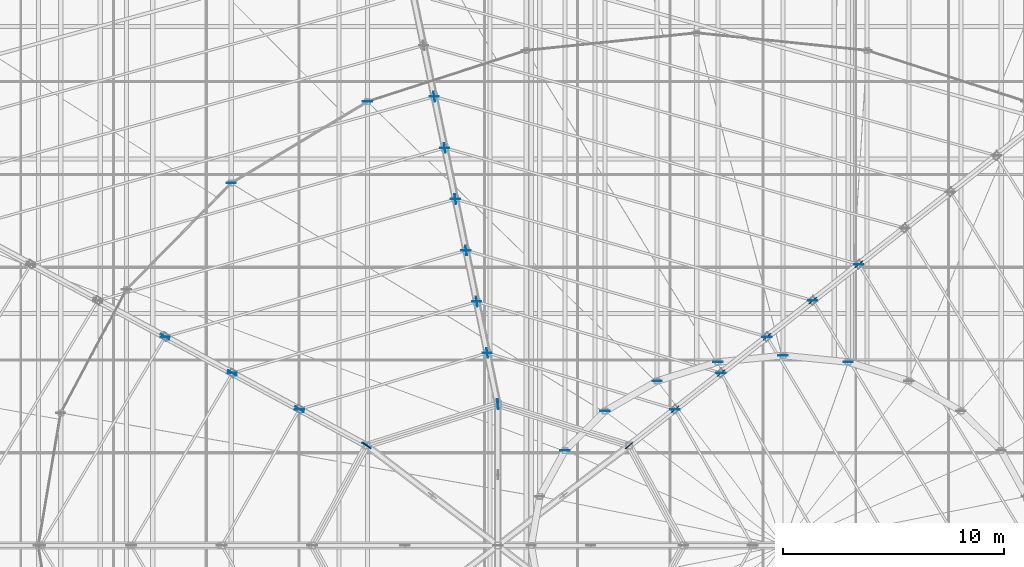
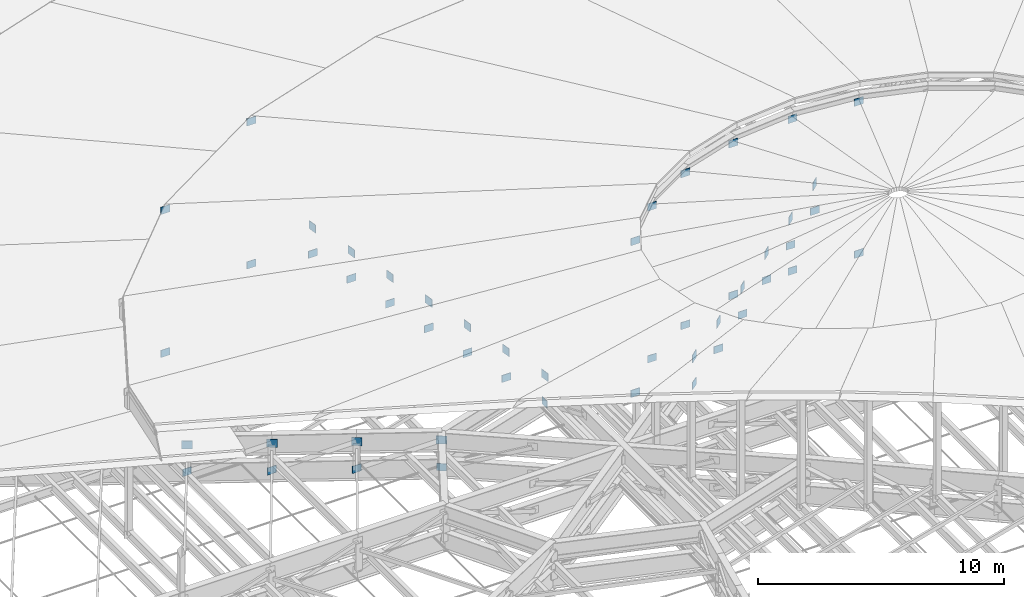
# One storey, part 175 of 184: 50 plates.
"""IFC4 building model written with IfcOpenShell, lengths in metres."""

from ifc_helpers import new_model, si_unit, direction, frame, origin, origin_2d, place, context, subcontext, project, spatial, rectangle, extrude, material, layer, layer_set, type_object, element, save


model = new_model("IFC4")

# Units and contexts
model_context = context("Model", 3, precision=1e-05, world=origin(), true_north=direction((0.0, 1.0)))
body_context = subcontext(model_context, "Body", "Model", "MODEL_VIEW")
ifc_project = project(units=[si_unit("LENGTHUNIT", "METRE"), si_unit("AREAUNIT", "SQUARE_METRE"), si_unit("VOLUMEUNIT", "CUBIC_METRE"), si_unit("PLANEANGLEUNIT", "RADIAN"), si_unit("MASSUNIT", "GRAM", prefix="KILO")], contexts=[model_context])

# Site, building, storey
site_placement = place(None, origin())
site = spatial("IfcSite", under=ifc_project, at=site_placement, CompositionType="ELEMENT")
building_placement = place(site_placement, origin())
building = spatial("IfcBuilding", under=site, at=building_placement, Name="Kalgoora Escarpment Arena", CompositionType="ELEMENT")
storey_placement = place(building_placement, frame((0.0, 0.0, 27.60009765625)))
storey = spatial("IfcBuildingStorey", under=building, at=storey_placement, Name="Roof Level", CompositionType="ELEMENT", Elevation=27.60009765625)

# Plates
ifc_material = material(Name="Structural steel Grade 350 (350 MPa)", Category="steel")
ifc_layer = layer(ifc_material, 0.02490234375)
ifc_layer_set = layer_set([ifc_layer], Name="PLT-GUSSET-25")
plate_type = type_object("IfcPlateType", Name="PLT-GUSSET-25", PredefinedType="USERDEFINED", material=ifc_layer_set)
for number, where, z_axis, x_axis, name in (
    (1, (113.538330078125, 76.727783203125, -0.5), (0.0, 0.0, 1.0), (-0.756081970773, -0.6544769312, 0.0), "Radial ROOF TRUSS node gusset plate S2-6"),
    (2, (111.45849609375, 75.08740234375, -0.489990234375), (0.0, 0.0, 1.0), (-0.756081970773, -0.6544769312, 0.0), "Radial ROOF TRUSS node gusset plate S2-7"),
    (3, (109.37890625, 73.447021484375, -0.47998046875), (0.0, 0.0, 1.0), (-0.756081970773, -0.6544769312, 0.0), "Radial ROOF TRUSS node gusset plate S2-8"),
    (4, (107.29931640625, 71.806396484375, -0.469970703125), (0.0, 0.0, 1.0), (-0.756081970773, -0.6544769312, 0.0), "Radial ROOF TRUSS node gusset plate S2-9"),
    (5, (105.219482421875, 70.166015625, -0.4599609375), (0.0, 0.0, 1.0), (-0.756081970773, -0.6544769312, 0.0), "Radial ROOF TRUSS node gusset plate S2-10"),
    (6, (103.1396484375, 68.525390625, -0.449951171875), (0.0, 0.0, 1.0), (-0.756081970773, -0.6544769312, 0.0), "Radial ROOF TRUSS node gusset plate S2-11"),
    (7, (94.320068359375, 84.320068359375, -0.510009765625), (0.0, 0.0, 1.0), (0.141419587774, -0.989949746297, 0.0), "Radial ROOF TRUSS node gusset plate S3-5"),
    (8, (94.800048828125, 82.0, -0.5), (0.0, 0.0, 1.0), (0.141419587774, -0.989949746297, 0.0), "Radial ROOF TRUSS node gusset plate S3-6"),
    (9, (95.280029296875, 79.679931640625, -0.489990234375), (0.0, 0.0, 1.0), (0.141419587774, -0.989949746297, 0.0), "Radial ROOF TRUSS node gusset plate S3-7"),
    (10, (95.760009765625, 77.360107421875, -0.47998046875), (0.0, 0.0, 1.0), (0.141419587774, -0.989949746297, 0.0), "Radial ROOF TRUSS node gusset plate S3-8"),
    (11, (96.239990234375, 75.0400390625, -0.469970703125), (0.0, 0.0, 1.0), (0.141419587774, -0.989949746297, 0.0), "Radial ROOF TRUSS node gusset plate S3-9"),
    (12, (96.719970703125, 72.719970703125, -0.4599609375), (0.0, 0.0, 1.0), (0.141419587774, -0.989949746297, 0.0), "Radial ROOF TRUSS node gusset plate S3-10"),
    (13, (97.199951171875, 70.39990234375, -0.449951171875), (0.0, 0.0, 1.0), (0.141419587774, -0.989949746297, 0.0), "Radial ROOF TRUSS node gusset plate S3-11"),
    (14, (82.14111328125, 73.447021484375, -0.47998046875), (0.0, 0.0, 1.0), (0.84179353575, -0.539799632428, 0.0), "Radial ROOF TRUSS node gusset plate S4-8"),
    (15, (85.180908203125, 71.806396484375, -0.469970703125), (0.0, 0.0, 1.0), (0.84179353575, -0.539799632428, 0.0), "Radial ROOF TRUSS node gusset plate S4-9"),
    (16, (88.220703125, 70.166015625, -0.4599609375), (0.0, 0.0, 1.0), (0.84179353575, -0.539799632428, 0.0), "Radial ROOF TRUSS node gusset plate S4-10"),
    (17, (91.26025390625, 68.525390625, -0.449951171875), (0.0, 0.0, 1.0), (0.84179353575, -0.539799632428, 0.0), "Radial ROOF TRUSS node gusset plate S4-11"),
):
    element("IfcPlate", number, at=place(storey_placement, frame(where, z_axis=z_axis, x_axis=x_axis)), inside=storey, type_object=plate_type, Name=name, ObjectType="FLANGE PLATE", PredefinedType="USERDEFINED", context=body_context, shape_type="SweptSolid", body=[
        extrude(rectangle(XDim=0.43994140625, YDim=0.02490234375, at=origin_2d()), origin(), (0.0, 0.0, 1.0), 0.39990234375),
    ])
for number, where, z_axis, x_axis, name in (
    (18, (103.1396484375, 68.525390625, -1.7802734375), (0.0, 0.0, 1.0), (-0.795473480855, -0.605988400266, 0.0), "Brace and post end gusset plate 048"),
    (19, (97.199951171875, 70.39990234375, -1.7802734375), (0.0, 0.0, 1.0), (0.0, -1.0, 0.0), "Brace and post end gusset plate 053"),
    (20, (91.26025390625, 68.525390625, -1.7802734375), (0.0, 0.0, 1.0), (0.795473480855, -0.605988400266, 0.0), "Brace and post end gusset plate 058"),
    (21, (113.538330078125, 76.727783203125, -1.80517578125), (0.0, 0.0, 1.0), (1.0, 0.0, 0.0), "Brace and post end gusset plate 084"),
    (22, (111.45849609375, 75.08740234375, -1.80029296875), (0.0, 0.0, 1.0), (1.0, 0.0, 0.0), "Brace and post end gusset plate 085"),
    (23, (109.37890625, 73.447021484375, -1.794921875), (0.0, 0.0, 1.0), (1.0, 0.0, 0.0), "Brace and post end gusset plate 086"),
    (24, (107.29931640625, 71.806396484375, -1.7900390625), (0.0, 0.0, 1.0), (1.0, 0.0, 0.0), "Brace and post end gusset plate 087"),
    (25, (105.219482421875, 70.166015625, -1.78515625), (0.0, 0.0, 1.0), (1.0, 0.0, 0.0), "Brace and post end gusset plate 088"),
    (26, (94.320068359375, 84.320068359375, -1.81005859375), (0.0, 0.0, 1.0), (1.0, 0.0, 0.0), "Brace and post end gusset plate 094"),
    (27, (94.800048828125, 82.0, -1.80517578125), (0.0, 0.0, 1.0), (1.0, 0.0, 0.0), "Brace and post end gusset plate 095"),
    (28, (95.280029296875, 79.679931640625, -1.80029296875), (0.0, 0.0, 1.0), (1.0, 0.0, 0.0), "Brace and post end gusset plate 096"),
    (29, (95.760009765625, 77.360107421875, -1.794921875), (0.0, 0.0, 1.0), (1.0, 0.0, 0.0), "Brace and post end gusset plate 097"),
    (30, (96.239990234375, 75.0400390625, -1.7900390625), (0.0, 0.0, 1.0), (1.0, 0.0, 0.0), "Brace and post end gusset plate 098"),
    (31, (96.719970703125, 72.719970703125, -1.78515625), (0.0, 0.0, 1.0), (1.0, 0.0, 0.0), "Brace and post end gusset plate 099"),
    (32, (82.14111328125, 73.447021484375, -1.794921875), (0.0, 0.0, 1.0), (1.0, 0.0, 0.0), "Brace and post end gusset plate 108"),
    (33, (85.180908203125, 71.806396484375, -1.7900390625), (0.0, 0.0, 1.0), (1.0, 0.0, 0.0), "Brace and post end gusset plate 109"),
    (34, (88.220703125, 70.166015625, -1.78515625), (0.0, 0.0, 1.0), (1.0, 0.0, 0.0), "Brace and post end gusset plate 110"),
    (35, (91.300048828125, 84.091796875, -1.14013671875), (0.0, 0.0, 1.0), (1.0, 0.0, 0.0), "Brace and post end gusset plate 290"),
    (36, (91.300048828125, 84.091796875, 5.96484375), (0.0, 0.0, 1.0), (1.0, 0.0, 0.0), "Brace and post end gusset plate 291"),
    (37, (85.128173828125, 80.40478515625, -1.14013671875), (0.0, 0.0, 1.0), (1.0, 0.0, 0.0), "Brace and post end gusset plate 292"),
    (38, (85.128173828125, 80.40478515625, 5.96484375), (0.0, 0.0, 1.0), (1.0, 0.0, 0.0), "Brace and post end gusset plate 293"),
    (39, (113.060546875, 72.306884765625, -1.080078125), (0.0, 0.0, 1.0), (1.0, 0.0, 0.0), "Brace and post end gusset plate 332"),
    (40, (113.060546875, 72.306884765625, 6.4697265625), (0.0, 0.0, 1.0), (1.0, 0.0, 0.0), "Brace and post end gusset plate 333"),
    (41, (110.110107421875, 72.60009765625, -1.080078125), (0.0, 0.0, 1.0), (1.0, 0.0, 0.0), "Brace and post end gusset plate 334"),
    (42, (110.110107421875, 72.60009765625, 6.4697265625), (0.0, 0.0, 1.0), (1.0, 0.0, 0.0), "Brace and post end gusset plate 335"),
    (43, (107.159423828125, 72.306884765625, -1.080078125), (0.0, 0.0, 1.0), (1.0, 0.0, 0.0), "Brace and post end gusset plate 336"),
    (44, (107.159423828125, 72.306884765625, 6.4697265625), (0.0, 0.0, 1.0), (1.0, 0.0, 0.0), "Brace and post end gusset plate 337"),
    (45, (104.409912109375, 71.44775390625, -1.080078125), (0.0, 0.0, 1.0), (1.0, 0.0, 0.0), "Brace and post end gusset plate 338"),
    (46, (104.409912109375, 71.44775390625, 6.4697265625), (0.0, 0.0, 1.0), (1.0, 0.0, 0.0), "Brace and post end gusset plate 339"),
    (47, (102.049072265625, 70.0810546875, -1.080078125), (0.0, 0.0, 1.0), (1.0, 0.0, 0.0), "Brace and post end gusset plate 340"),
    (48, (102.049072265625, 70.0810546875, 6.4697265625), (0.0, 0.0, 1.0), (1.0, 0.0, 0.0), "Brace and post end gusset plate 341"),
    (49, (100.2373046875, 68.300048828125, -1.080078125), (0.0, 0.0, 1.0), (1.0, 0.0, 0.0), "Brace and post end gusset plate 342"),
    (50, (100.2373046875, 68.300048828125, 6.4697265625), (0.0, 0.0, 1.0), (1.0, 0.0, 0.0), "Brace and post end gusset plate 343"),
):
    element("IfcPlate", number, at=place(storey_placement, frame(where, z_axis=z_axis, x_axis=x_axis)), inside=storey, type_object=plate_type, Name=name, ObjectType="FLANGE PLATE", PredefinedType="USERDEFINED", context=body_context, shape_type="SweptSolid", body=[
        extrude(rectangle(XDim=0.419921875, YDim=0.02490234375, at=origin_2d()), origin(), (0.0, 0.0, 1.0), 0.360107421875),
    ])

save(model, "model.ifc")
